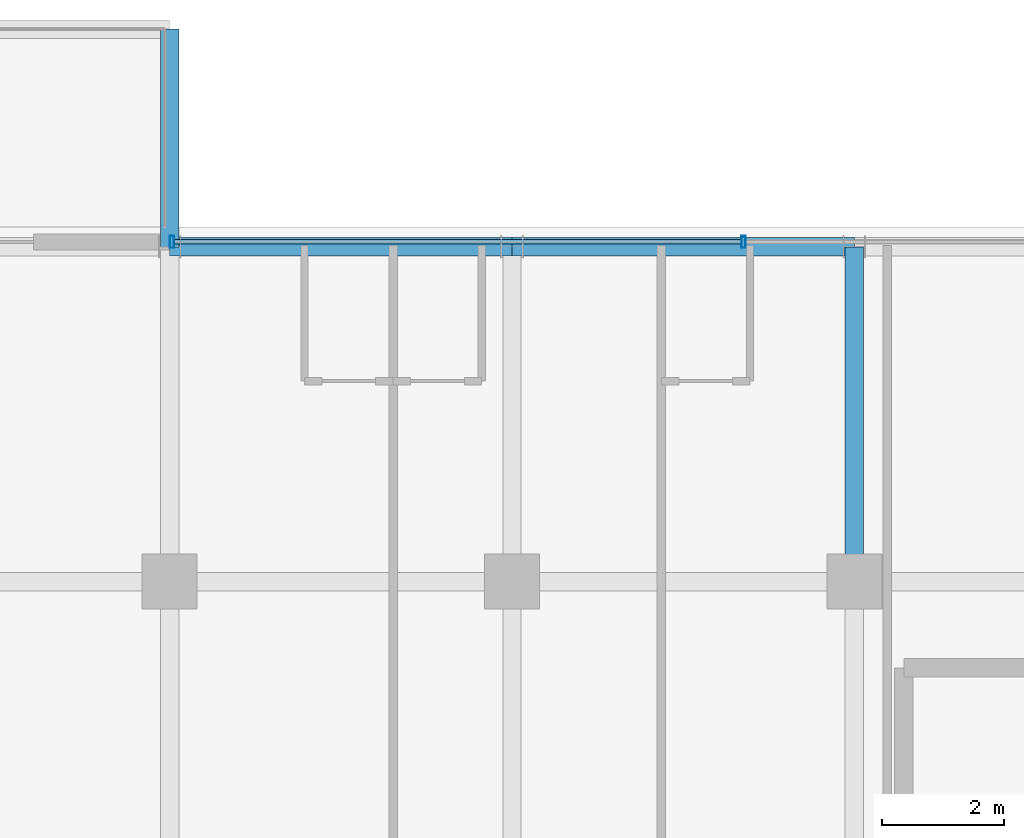
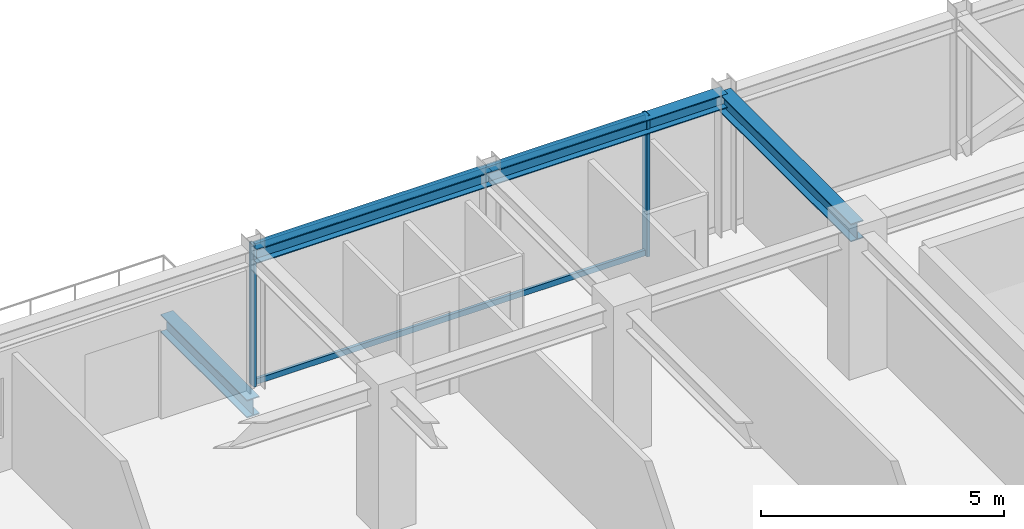
# One storey, part 28 of 41: 4 beams, 4 members, 1 element without a shape of its own.
"""IFC4 building model written with IfcOpenShell, lengths in metres."""

import ifcopenshell
import ifcopenshell.guid

model = None  # the IFC model being written
_history = None  # IfcOwnerHistory: only IFC2X3 demands one
_inside = {}  # id of a spatial element -> (the spatial element, [elements in it])
_under = {}  # id of a project, library or spatial element -> (it, [spatial elements below it])
_declared = {}  # id of a project -> (the project, [libraries it declares])
_typed = {}  # id of a type object -> (the type object, [elements of that type])
_made_of = {}  # id of a material, layer set ... -> (it, [elements and type objects made of it])


def new_model(schema):
    """Start an empty IFC model of exactly this schema.

    Asked for "IFC4X3", IfcOpenShell would pick the latest addendum, in which some entities
    have other attributes; the version numbers below select the first issue.
    IFC2X3 requires an IfcOwnerHistory on every rooted entity: one is made here for all.
    """
    global model, _history
    if schema == "IFC4X3":
        model = ifcopenshell.file(schema_version=(4, 3, 0, 0))
    else:
        model = ifcopenshell.file(schema=schema)
    _inside.clear()
    _under.clear()
    _declared.clear()
    _typed.clear()
    _made_of.clear()
    _history = None
    if model.schema == "IFC2X3":
        org = make("IfcOrganization", Name="unknown")
        user = make(
            "IfcPersonAndOrganization",
            ThePerson=make("IfcPerson", FamilyName="unknown"),
            TheOrganization=org,
        )
        app = make(
            "IfcApplication",
            ApplicationDeveloper=org,
            Version="unknown",
            ApplicationFullName="unknown",
            ApplicationIdentifier="unknown",
        )
        _history = make(
            "IfcOwnerHistory",
            OwningUser=user,
            OwningApplication=app,
            ChangeAction="ADDED",
            CreationDate=0,
        )
    return model


def make(cls, **values):
    """One entity of the class cls with the attributes given. An attribute that is None is left unset."""
    return model.create_entity(
        cls, **{name: value for name, value in values.items() if value is not None}
    )


def rooted(cls, **values):
    """An entity with a GlobalId (a new one), such as an element, a storey or a relation."""
    return make(cls, GlobalId=ifcopenshell.guid.new(), OwnerHistory=_history, **values)


def si_unit(unit_type, name, prefix=None):
    """IfcSIUnit, for example si_unit("LENGTHUNIT", "METRE", prefix="MILLI")."""
    return make("IfcSIUnit", UnitType=unit_type, Prefix=prefix, Name=name)


def assignment(units):
    """IfcUnitAssignment: the units of a project."""
    return None if units is None else make("IfcUnitAssignment", Units=units)


def point(xyz):
    """IfcCartesianPoint."""
    return None if xyz is None else make("IfcCartesianPoint", Coordinates=xyz)


def direction(xyz):
    """IfcDirection."""
    return None if xyz is None else make("IfcDirection", DirectionRatios=xyz)


def frame(location, z_axis=None, x_axis=None):
    """IfcAxis2Placement3D, a coordinate frame: its origin and axes. An axis left out is left unset."""
    return make(
        "IfcAxis2Placement3D",
        Location=point(location),
        Axis=direction(z_axis),
        RefDirection=direction(x_axis),
    )


def frame_2d(location, x_axis=None):
    """IfcAxis2Placement2D, a coordinate frame in the plane: its origin and x axis."""
    return make(
        "IfcAxis2Placement2D", Location=point(location), RefDirection=direction(x_axis)
    )


def origin():
    """The frame at (0, 0, 0) with its axes left unset."""
    return frame((0.0, 0.0, 0.0))


def origin_2d():
    """The frame at (0, 0) in the plane with its x axis left unset."""
    return frame_2d((0.0, 0.0))


def place(relative_to, where):
    """IfcLocalPlacement: puts the frame where relative to a parent placement (None: the world)."""
    return make(
        "IfcLocalPlacement", PlacementRelTo=relative_to, RelativePlacement=where
    )


def context(
    kind, dimensions, precision=None, world=None, true_north=None, identifier=None
):
    """IfcGeometricRepresentationContext, for example the 3D "Model" context."""
    return make(
        "IfcGeometricRepresentationContext",
        ContextIdentifier=identifier,
        ContextType=kind,
        CoordinateSpaceDimension=dimensions,
        Precision=precision,
        WorldCoordinateSystem=world,
        TrueNorth=true_north,
    )


def subcontext(parent, identifier, kind, view, scale=None):
    """IfcGeometricRepresentationSubContext, for example "Body" below "Model"."""
    return make(
        "IfcGeometricRepresentationSubContext",
        ContextIdentifier=identifier,
        ContextType=kind,
        ParentContext=parent,
        TargetScale=scale,
        TargetView=view,
    )


def project(units=None, contexts=None):
    """IfcProject with its units and contexts."""
    return rooted(
        "IfcProject",
        Name="project",
        RepresentationContexts=contexts,
        UnitsInContext=assignment(units),
    )


def spatial(cls, under=None, at=None, **own):
    """A site, building, storey or space (cls), placed at a placement, below another one or the project."""
    s = rooted(cls, ObjectPlacement=at, **own)
    if under is not None:
        _under.setdefault(under.id(), (under, []))[1].append(s)
    return s


def profile(cls, at=None, kind="AREA", **sizes):
    """A parametric profile (cls). Its sizes go by their IFC names, for example OverallWidth=200.0."""
    return make(cls, ProfileType=kind, Position=at, **sizes)


def hollow_rectangle(**sizes):
    """IfcRectangleHollowProfileDef."""
    return profile("IfcRectangleHollowProfileDef", **sizes)


def i_section(**sizes):
    """IfcIShapeProfileDef."""
    return profile("IfcIShapeProfileDef", **sizes)


def extrude(swept, where, along, depth):
    """IfcExtrudedAreaSolid: the profile swept, set in the frame where, extruded along a direction by depth."""
    return make(
        "IfcExtrudedAreaSolid",
        SweptArea=swept,
        Position=where,
        ExtrudedDirection=direction(along),
        Depth=depth,
    )


def shape(context_of_items, identifier, shape_type, items):
    """IfcShapeRepresentation: the items that make up one representation, for example the "Body"."""
    return make(
        "IfcShapeRepresentation",
        ContextOfItems=context_of_items,
        RepresentationIdentifier=identifier,
        RepresentationType=shape_type,
        Items=items,
    )


def source(mapping_origin, context_of_items, identifier, shape_type, items):
    """IfcRepresentationMap: a shape defined once, which mapped items show again and again."""
    return make(
        "IfcRepresentationMap",
        MappingOrigin=mapping_origin,
        MappedRepresentation=shape(context_of_items, identifier, shape_type, items),
    )


def transform(
    local_origin,
    x_axis=None,
    y_axis=None,
    z_axis=None,
    scale=None,
    scale2=None,
    scale3=None,
    uniform=True,
):
    """IfcCartesianTransformationOperator3D, or its non-uniform kind. x_axis, y_axis, z_axis: its Axis1, 2, 3."""
    if uniform:
        return make(
            "IfcCartesianTransformationOperator3D",
            Axis1=direction(x_axis),
            Axis2=direction(y_axis),
            LocalOrigin=point(local_origin),
            Scale=scale,
            Axis3=direction(z_axis),
        )
    return make(
        "IfcCartesianTransformationOperator3DnonUniform",
        Axis1=direction(x_axis),
        Axis2=direction(y_axis),
        LocalOrigin=point(local_origin),
        Scale=scale,
        Axis3=direction(z_axis),
        Scale2=scale2,
        Scale3=scale3,
    )


def mapped(mapping_source, mapping_target):
    """IfcMappedItem: shows the shape of a source again, moved by a transform."""
    return make(
        "IfcMappedItem", MappingSource=mapping_source, MappingTarget=mapping_target
    )


def material(Name=None, Category=None):
    """IfcMaterial."""
    return make("IfcMaterial", Name=Name, Category=Category)


def material_profile(
    of_material, cross_section, Name=None, Category=None, Priority=None
):
    """IfcMaterialProfile: a cross section and its material."""
    return make(
        "IfcMaterialProfile",
        Name=Name,
        Material=of_material,
        Profile=cross_section,
        Priority=Priority,
        Category=Category,
    )


def profile_set(profiles, Name=None, composite=None):
    """IfcMaterialProfileSet."""
    return make(
        "IfcMaterialProfileSet",
        Name=Name,
        MaterialProfiles=profiles,
        CompositeProfile=composite,
    )


def made_of(thing, what):
    """Note that an element or type object is made of a material, layer set ...; save() writes the relation."""
    if what is not None:
        _made_of.setdefault(what.id(), (what, []))[1].append(thing)
    return thing


def type_object(cls, material=None, **own):
    """A type object (cls), such as IfcWallType, which elements share."""
    return made_of(rooted(cls, **own), material)


def element(
    cls,
    number,
    at=None,
    inside=None,
    cuts=None,
    type_object=None,
    material=None,
    context=None,
    identifier="Body",
    shape_type=None,
    held_by="IfcProductDefinitionShape",
    body=None,
    shapes=None,
    **own,
):
    """One element of the class cls, such as IfcWall. Its Tag is "e" and its number.

    at: its placement. inside: the storey or other place that contains it. cuts: it is an
    opening in that element (IfcRelVoidsElement). A single representation is given by context,
    identifier, shape_type and body (its items); several are given by shapes. held_by: the class
    of the entity that holds the representations. save() writes the other relations.
    """
    e = rooted(cls, Tag="e%d" % number, ObjectPlacement=at, **own)
    if body is not None:
        shapes = [shape(context, identifier, shape_type, body)]
    if shapes is not None:
        e.Representation = make(held_by, Representations=shapes)
    if inside is not None:
        _inside.setdefault(inside.id(), (inside, []))[1].append(e)
    if cuts is not None:
        rooted(
            "IfcRelVoidsElement", RelatingBuildingElement=cuts, RelatedOpeningElement=e
        )
    if type_object is not None:
        _typed.setdefault(type_object.id(), (type_object, []))[1].append(e)
    return made_of(e, material)


def aggregate(whole, parts):
    """IfcRelAggregates: a whole, such as a stair, and the parts it consists of."""
    return rooted("IfcRelAggregates", RelatingObject=whole, RelatedObjects=parts)


def save(model, path):
    """Write the relations noted so far, then the file.

    IfcRelAggregates (storeys below a building ...), IfcRelContainedInSpatialStructure (elements
    in a storey), IfcRelDefinesByType, IfcRelAssociatesMaterial and IfcRelDeclares: one each for
    every whole, place, type object, material and project.
    """
    for whole, parts in _under.values():
        aggregate(whole, parts)
    for where, things in _inside.values():
        rooted(
            "IfcRelContainedInSpatialStructure",
            RelatedElements=things,
            RelatingStructure=where,
        )
    for kind, things in _typed.values():
        rooted("IfcRelDefinesByType", RelatedObjects=things, RelatingType=kind)
    for what, things in _made_of.values():
        rooted("IfcRelAssociatesMaterial", RelatedObjects=things, RelatingMaterial=what)
    for by, libraries in _declared.values():
        rooted("IfcRelDeclares", RelatingContext=by, RelatedDefinitions=libraries)
    model.write(path)


model = new_model("IFC4")

# Units and contexts
model_context = context("Model", 3, precision=1e-05, world=origin(), true_north=direction((0.0, 1.0)))
body_context = subcontext(model_context, "Body", "Model", "MODEL_VIEW")
ifc_project = project(units=[si_unit("LENGTHUNIT", "METRE"), si_unit("AREAUNIT", "SQUARE_METRE"), si_unit("VOLUMEUNIT", "CUBIC_METRE"), si_unit("PLANEANGLEUNIT", "RADIAN"), si_unit("MASSUNIT", "GRAM", prefix="KILO")], contexts=[model_context])

# Site, building, storey
site_placement = place(None, origin())
site = spatial("IfcSite", under=ifc_project, at=site_placement, CompositionType="ELEMENT")
building_placement = place(site_placement, origin())
building = spatial("IfcBuilding", under=site, at=building_placement, Name="Nahalor Promenade Grand Hotel", CompositionType="ELEMENT")
storey_placement = place(building_placement, frame((0.0, 0.0, 304.199951171875)))
storey = spatial("IfcBuildingStorey", under=building, at=storey_placement, Name="L78", CompositionType="ELEMENT", Elevation=304.199951171875)

# Beams
ifc_material_1 = material(Name="Steel S355JR", Category="steel")
ifc_material_profile_1 = material_profile(ifc_material_1, i_section(OverallWidth=0.3, OverallDepth=0.45, WebThickness=0.014, FlangeThickness=0.026, at=origin_2d()), Name="HEB 450")
ifc_profile_set_1 = profile_set([ifc_material_profile_1], Name="Steel S355JR")
beam_type_1 = type_object("IfcBeamType", Name="Beam-Outrigger-HEB450", PredefinedType="BEAM", material=ifc_profile_set_1)
shared_shape_1 = source(origin(), body_context, "Body", "SweptSolid", [
    extrude(i_section(OverallWidth=0.3, OverallDepth=0.45, WebThickness=0.014, FlangeThickness=0.026, at=origin_2d()), origin(), (0.0, 0.0, 1.0), 3.56005859375),
])
beam_1_placement = place(storey_placement, frame((-8.39990234375, 22.47998046875, -0.5048828125), z_axis=(0.0, 1.0, 0.0), x_axis=(-1.0, 0.0, 0.0)))
element("IfcBeam", 1, at=beam_1_placement, inside=storey, type_object=beam_type_1, Name="BM-L78-BC-01-2", PredefinedType="BEAM", context=body_context, shape_type="MappedRepresentation", body=[
    mapped(shared_shape_1, transform((0.0, 0.0, 0.0), scale=1.0)),
])
ifc_material_profile_2 = material_profile(ifc_material_1, i_section(OverallWidth=0.3, OverallDepth=0.45, WebThickness=0.014, FlangeThickness=0.026, at=origin_2d()), Name="HEB 450")
ifc_profile_set_2 = profile_set([ifc_material_profile_2], Name="Steel S355JR")
beam_type_2 = type_object("IfcBeamType", Name="Beam-Girder-HEB450", PredefinedType="BEAM", material=ifc_profile_set_2)
shared_shape_2 = source(origin(), body_context, "Body", "SweptSolid", [
    extrude(i_section(OverallWidth=0.3, OverallDepth=0.45, WebThickness=0.014, FlangeThickness=0.026, at=origin_2d()), origin(), (0.0, 0.0, 1.0), 5.47998046875),
])
beam_2_placement = place(storey_placement, frame((2.800048828125, 17.0, 3.324951171875), z_axis=(0.0, 1.0, 0.0), x_axis=(-1.0, 0.0, 0.0)))
element("IfcBeam", 2, at=beam_2_placement, inside=storey, type_object=beam_type_2, Name="BM-L78-GY-3-4", PredefinedType="BEAM", context=body_context, shape_type="MappedRepresentation", body=[
    mapped(shared_shape_2, transform((0.0, 0.0, 0.0), scale=1.0)),
])
ifc_material_profile_3 = material_profile(ifc_material_1, i_section(OverallWidth=0.3, OverallDepth=0.36, WebThickness=0.0125, FlangeThickness=0.0225, at=origin_2d()), Name="HEB 360")
ifc_profile_set_3 = profile_set([ifc_material_profile_3], Name="Steel S355JR")
beam_type_3 = type_object("IfcBeamType", Name="Beam-Spandrel-HEB360", PredefinedType="SPANDREL", material=ifc_profile_set_3)
shared_shape_3 = source(origin(), body_context, "Body", "SweptSolid", [
    extrude(i_section(OverallWidth=0.3, OverallDepth=0.36, WebThickness=0.0125, FlangeThickness=0.0225, at=origin_2d()), origin(), (0.0, 0.0, 1.0), 5.599853515625),
])
beam_3_placement = place(storey_placement, frame((-8.39990234375, 22.47998046875, 3.3701171875), z_axis=(1.0, 0.0, 0.0), x_axis=(0.0, 1.0, 0.0)))
element("IfcBeam", 3, at=beam_3_placement, inside=storey, type_object=beam_type_3, Name="BM-L78-SP-N-1", PredefinedType="SPANDREL", context=body_context, shape_type="MappedRepresentation", body=[
    mapped(shared_shape_3, transform((0.0, 0.0, 0.0), scale=1.0)),
])
shared_shape_4 = source(origin(), body_context, "Body", "SweptSolid", [
    extrude(i_section(OverallWidth=0.3, OverallDepth=0.36, WebThickness=0.0125, FlangeThickness=0.0225, at=origin_2d()), origin(), (0.0, 0.0, 1.0), 5.60009765625),
])
beam_4_placement = place(storey_placement, frame((-2.800048828125, 22.47998046875, 3.3701171875), z_axis=(1.0, 0.0, 0.0), x_axis=(0.0, 1.0, 0.0)))
element("IfcBeam", 4, at=beam_4_placement, inside=storey, type_object=beam_type_3, Name="BM-L78-SP-N-2", PredefinedType="SPANDREL", context=body_context, shape_type="MappedRepresentation", body=[
    mapped(shared_shape_4, transform((0.0, 0.0, 0.0), scale=1.0)),
])

# Curtain wall, members
ifc_material_2 = material(Name="Anodised Bronze Aluminium EN AW-6063 T6", Category="aluminium")
curtain_wall_type = type_object("IfcCurtainWallType", Name="CW3 Elliptical-Void Collar Unitised Curtain Wall", PredefinedType="USERDEFINED", material=ifc_material_2)
curtain_wall_placement = place(storey_placement, origin())
curtain_wall = element("IfcCurtainWall", 5, at=curtain_wall_placement, inside=storey, type_object=curtain_wall_type, Name="L78 Curtain Wall CW-L78-N-3", ObjectType="UNITISED_CURTAIN_WALL", PredefinedType="USERDEFINED")
ifc_material_profile_4 = material_profile(ifc_material_2, hollow_rectangle(XDim=0.07, YDim=0.14, WallThickness=0.004, at=origin_2d()), Name="CWT 70x140x4")
ifc_profile_set_4 = profile_set([ifc_material_profile_4], Name="Anodised Bronze Aluminium EN AW-6063 T6")
member_type_1 = type_object("IfcMemberType", Name="CWT3 Void Collar Transom 70x140", PredefinedType="USERDEFINED", material=ifc_profile_set_4)
shared_shape_5 = source(origin(), body_context, "Body", "SweptSolid", [
    extrude(hollow_rectangle(XDim=0.07, YDim=0.14, WallThickness=0.004, at=origin_2d()), origin(), (0.0, 0.0, 1.0), 9.28173828125),
])
member_1_placement = place(storey_placement, frame((-8.330078125, 22.56005859375, 0.070068359375), z_axis=(1.0, 0.0, 0.0), x_axis=(0.0, 1.0, 0.0)))
member_1 = element("IfcMember", 6, at=member_1_placement, type_object=member_type_1, Name="CW-L78-N-3 Transom 0-0", ObjectType="TRANSOM", PredefinedType="USERDEFINED", context=body_context, shape_type="MappedRepresentation", body=[
    mapped(shared_shape_5, transform((0.0, 0.0, 0.0), scale=1.0)),
])
member_2_placement = place(storey_placement, frame((-8.330078125, 22.56005859375, 3.47998046875), z_axis=(1.0, 0.0, 0.0), x_axis=(0.0, 1.0, 0.0)))
member_2 = element("IfcMember", 7, at=member_2_placement, type_object=member_type_1, Name="CW-L78-N-3 Transom 0-1", ObjectType="TRANSOM", PredefinedType="USERDEFINED", context=body_context, shape_type="MappedRepresentation", body=[
    mapped(shared_shape_5, transform((0.0, 0.0, 0.0), scale=1.0)),
])
ifc_material_profile_5 = material_profile(ifc_material_2, hollow_rectangle(XDim=0.07, YDim=0.2, WallThickness=0.005, at=origin_2d()), Name="CWM 70x200x5")
ifc_profile_set_5 = profile_set([ifc_material_profile_5], Name="Anodised Bronze Aluminium EN AW-6063 T6")
member_type_2 = type_object("IfcMemberType", Name="CWM3 Void Collar Mullion 70x200", PredefinedType="MULLION", material=ifc_profile_set_5)
shared_shape_6 = source(origin(), body_context, "Body", "SweptSolid", [
    extrude(hollow_rectangle(XDim=0.07, YDim=0.2, WallThickness=0.005, at=origin_2d()), origin(), (0.0, 0.0, 1.0), 3.550048828125),
])
member_3_placement = place(storey_placement, frame((-8.364990234375, 22.56005859375, 0.0), z_axis=(0.0, 0.0, 1.0), x_axis=(1.0, 0.0, 0.0)))
member_3 = element("IfcMember", 8, at=member_3_placement, type_object=member_type_2, Name="CW-L78-N-3 Mullion 0", PredefinedType="MULLION", context=body_context, shape_type="MappedRepresentation", body=[
    mapped(shared_shape_6, transform((0.0, 0.0, 0.0), scale=1.0)),
])
member_4_placement = place(storey_placement, frame((0.986572265625, 22.56005859375, 0.0), z_axis=(0.0, 0.0, 1.0), x_axis=(1.0, 0.0, 0.0)))
member_4 = element("IfcMember", 9, at=member_4_placement, type_object=member_type_2, Name="CW-L78-N-3 Mullion 1", PredefinedType="MULLION", context=body_context, shape_type="MappedRepresentation", body=[
    mapped(shared_shape_6, transform((0.0, 0.0, 0.0), scale=1.0)),
])
aggregate(curtain_wall, [member_3, member_4, member_1, member_2])

save(model, "model.ifc")
